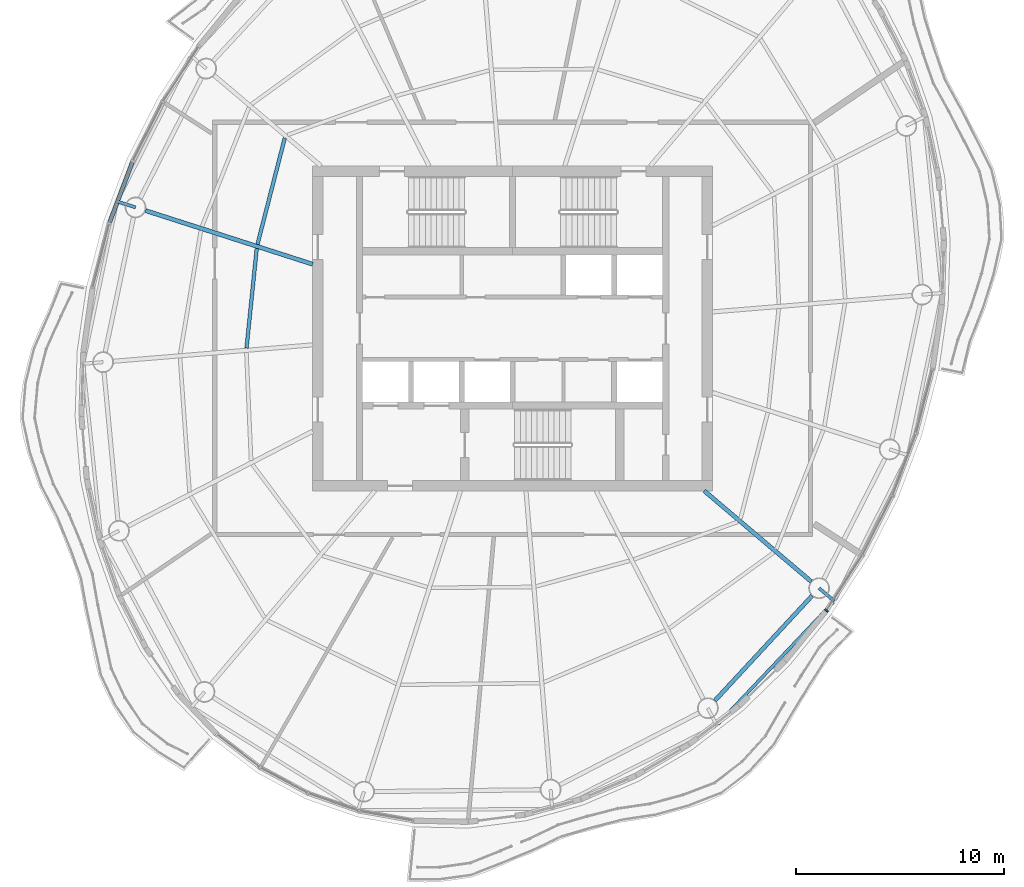
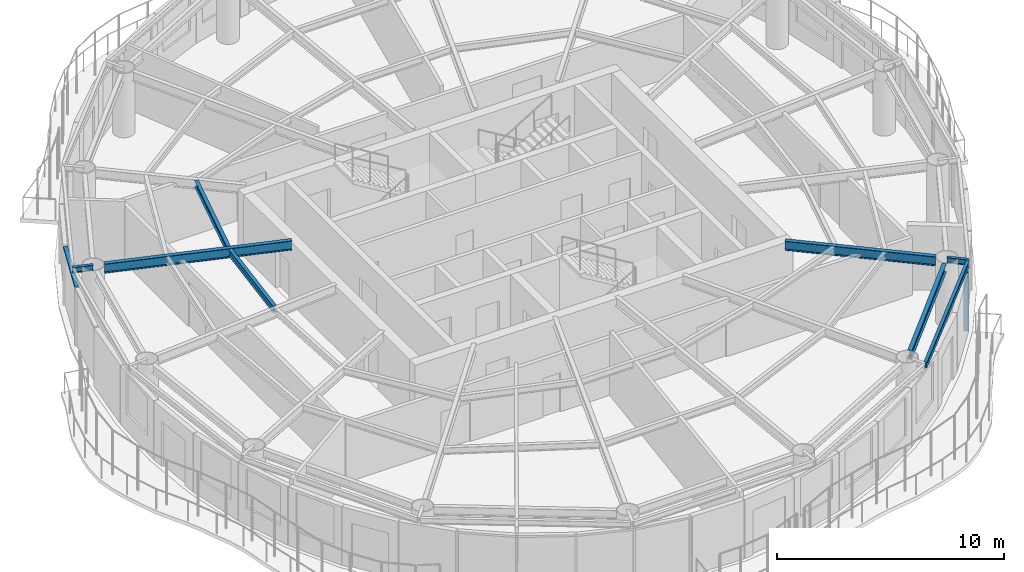
# One storey, part 3 of 13: 8 beams, 2 members, 2 elements without a shape of their own.
"""IFC4 building model written with IfcOpenShell, lengths in metres."""

import ifcopenshell
import ifcopenshell.guid

model = None  # the IFC model being written
_history = None  # IfcOwnerHistory: only IFC2X3 demands one
_inside = {}  # id of a spatial element -> (the spatial element, [elements in it])
_under = {}  # id of a project, library or spatial element -> (it, [spatial elements below it])
_declared = {}  # id of a project -> (the project, [libraries it declares])
_typed = {}  # id of a type object -> (the type object, [elements of that type])
_made_of = {}  # id of a material, layer set ... -> (it, [elements and type objects made of it])


def new_model(schema):
    """Start an empty IFC model of exactly this schema.

    Asked for "IFC4X3", IfcOpenShell would pick the latest addendum, in which some entities
    have other attributes; the version numbers below select the first issue.
    IFC2X3 requires an IfcOwnerHistory on every rooted entity: one is made here for all.
    """
    global model, _history
    if schema == "IFC4X3":
        model = ifcopenshell.file(schema_version=(4, 3, 0, 0))
    else:
        model = ifcopenshell.file(schema=schema)
    _inside.clear()
    _under.clear()
    _declared.clear()
    _typed.clear()
    _made_of.clear()
    _history = None
    if model.schema == "IFC2X3":
        org = make("IfcOrganization", Name="unknown")
        user = make(
            "IfcPersonAndOrganization",
            ThePerson=make("IfcPerson", FamilyName="unknown"),
            TheOrganization=org,
        )
        app = make(
            "IfcApplication",
            ApplicationDeveloper=org,
            Version="unknown",
            ApplicationFullName="unknown",
            ApplicationIdentifier="unknown",
        )
        _history = make(
            "IfcOwnerHistory",
            OwningUser=user,
            OwningApplication=app,
            ChangeAction="ADDED",
            CreationDate=0,
        )
    return model


def make(cls, **values):
    """One entity of the class cls with the attributes given. An attribute that is None is left unset."""
    return model.create_entity(
        cls, **{name: value for name, value in values.items() if value is not None}
    )


def rooted(cls, **values):
    """An entity with a GlobalId (a new one), such as an element, a storey or a relation."""
    return make(cls, GlobalId=ifcopenshell.guid.new(), OwnerHistory=_history, **values)


def si_unit(unit_type, name, prefix=None):
    """IfcSIUnit, for example si_unit("LENGTHUNIT", "METRE", prefix="MILLI")."""
    return make("IfcSIUnit", UnitType=unit_type, Prefix=prefix, Name=name)


def assignment(units):
    """IfcUnitAssignment: the units of a project."""
    return None if units is None else make("IfcUnitAssignment", Units=units)


def point(xyz):
    """IfcCartesianPoint."""
    return None if xyz is None else make("IfcCartesianPoint", Coordinates=xyz)


def direction(xyz):
    """IfcDirection."""
    return None if xyz is None else make("IfcDirection", DirectionRatios=xyz)


def frame(location, z_axis=None, x_axis=None):
    """IfcAxis2Placement3D, a coordinate frame: its origin and axes. An axis left out is left unset."""
    return make(
        "IfcAxis2Placement3D",
        Location=point(location),
        Axis=direction(z_axis),
        RefDirection=direction(x_axis),
    )


def frame_2d(location, x_axis=None):
    """IfcAxis2Placement2D, a coordinate frame in the plane: its origin and x axis."""
    return make(
        "IfcAxis2Placement2D", Location=point(location), RefDirection=direction(x_axis)
    )


def origin():
    """The frame at (0, 0, 0) with its axes left unset."""
    return frame((0.0, 0.0, 0.0))


def origin_2d():
    """The frame at (0, 0) in the plane with its x axis left unset."""
    return frame_2d((0.0, 0.0))


def place(relative_to, where):
    """IfcLocalPlacement: puts the frame where relative to a parent placement (None: the world)."""
    return make(
        "IfcLocalPlacement", PlacementRelTo=relative_to, RelativePlacement=where
    )


def context(
    kind, dimensions, precision=None, world=None, true_north=None, identifier=None
):
    """IfcGeometricRepresentationContext, for example the 3D "Model" context."""
    return make(
        "IfcGeometricRepresentationContext",
        ContextIdentifier=identifier,
        ContextType=kind,
        CoordinateSpaceDimension=dimensions,
        Precision=precision,
        WorldCoordinateSystem=world,
        TrueNorth=true_north,
    )


def subcontext(parent, identifier, kind, view, scale=None):
    """IfcGeometricRepresentationSubContext, for example "Body" below "Model"."""
    return make(
        "IfcGeometricRepresentationSubContext",
        ContextIdentifier=identifier,
        ContextType=kind,
        ParentContext=parent,
        TargetScale=scale,
        TargetView=view,
    )


def project(units=None, contexts=None):
    """IfcProject with its units and contexts."""
    return rooted(
        "IfcProject",
        Name="project",
        RepresentationContexts=contexts,
        UnitsInContext=assignment(units),
    )


def spatial(cls, under=None, at=None, **own):
    """A site, building, storey or space (cls), placed at a placement, below another one or the project."""
    s = rooted(cls, ObjectPlacement=at, **own)
    if under is not None:
        _under.setdefault(under.id(), (under, []))[1].append(s)
    return s


def profile(cls, at=None, kind="AREA", **sizes):
    """A parametric profile (cls). Its sizes go by their IFC names, for example OverallWidth=200.0."""
    return make(cls, ProfileType=kind, Position=at, **sizes)


def rectangle(**sizes):
    """IfcRectangleProfileDef."""
    return profile("IfcRectangleProfileDef", **sizes)


def i_section(**sizes):
    """IfcIShapeProfileDef."""
    return profile("IfcIShapeProfileDef", **sizes)


def extrude(swept, where, along, depth):
    """IfcExtrudedAreaSolid: the profile swept, set in the frame where, extruded along a direction by depth."""
    return make(
        "IfcExtrudedAreaSolid",
        SweptArea=swept,
        Position=where,
        ExtrudedDirection=direction(along),
        Depth=depth,
    )


def shape(context_of_items, identifier, shape_type, items):
    """IfcShapeRepresentation: the items that make up one representation, for example the "Body"."""
    return make(
        "IfcShapeRepresentation",
        ContextOfItems=context_of_items,
        RepresentationIdentifier=identifier,
        RepresentationType=shape_type,
        Items=items,
    )


def material(Name=None, Category=None):
    """IfcMaterial."""
    return make("IfcMaterial", Name=Name, Category=Category)


def material_profile(
    of_material, cross_section, Name=None, Category=None, Priority=None
):
    """IfcMaterialProfile: a cross section and its material."""
    return make(
        "IfcMaterialProfile",
        Name=Name,
        Material=of_material,
        Profile=cross_section,
        Priority=Priority,
        Category=Category,
    )


def profile_set(profiles, Name=None, composite=None):
    """IfcMaterialProfileSet."""
    return make(
        "IfcMaterialProfileSet",
        Name=Name,
        MaterialProfiles=profiles,
        CompositeProfile=composite,
    )


def made_of(thing, what):
    """Note that an element or type object is made of a material, layer set ...; save() writes the relation."""
    if what is not None:
        _made_of.setdefault(what.id(), (what, []))[1].append(thing)
    return thing


def type_object(cls, material=None, **own):
    """A type object (cls), such as IfcWallType, which elements share."""
    return made_of(rooted(cls, **own), material)


def element(
    cls,
    number,
    at=None,
    inside=None,
    cuts=None,
    type_object=None,
    material=None,
    context=None,
    identifier="Body",
    shape_type=None,
    held_by="IfcProductDefinitionShape",
    body=None,
    shapes=None,
    **own,
):
    """One element of the class cls, such as IfcWall. Its Tag is "e" and its number.

    at: its placement. inside: the storey or other place that contains it. cuts: it is an
    opening in that element (IfcRelVoidsElement). A single representation is given by context,
    identifier, shape_type and body (its items); several are given by shapes. held_by: the class
    of the entity that holds the representations. save() writes the other relations.
    """
    e = rooted(cls, Tag="e%d" % number, ObjectPlacement=at, **own)
    if body is not None:
        shapes = [shape(context, identifier, shape_type, body)]
    if shapes is not None:
        e.Representation = make(held_by, Representations=shapes)
    if inside is not None:
        _inside.setdefault(inside.id(), (inside, []))[1].append(e)
    if cuts is not None:
        rooted(
            "IfcRelVoidsElement", RelatingBuildingElement=cuts, RelatedOpeningElement=e
        )
    if type_object is not None:
        _typed.setdefault(type_object.id(), (type_object, []))[1].append(e)
    return made_of(e, material)


def aggregate(whole, parts):
    """IfcRelAggregates: a whole, such as a stair, and the parts it consists of."""
    return rooted("IfcRelAggregates", RelatingObject=whole, RelatedObjects=parts)


def save(model, path):
    """Write the relations noted so far, then the file.

    IfcRelAggregates (storeys below a building ...), IfcRelContainedInSpatialStructure (elements
    in a storey), IfcRelDefinesByType, IfcRelAssociatesMaterial and IfcRelDeclares: one each for
    every whole, place, type object, material and project.
    """
    for whole, parts in _under.values():
        aggregate(whole, parts)
    for where, things in _inside.values():
        rooted(
            "IfcRelContainedInSpatialStructure",
            RelatedElements=things,
            RelatingStructure=where,
        )
    for kind, things in _typed.values():
        rooted("IfcRelDefinesByType", RelatedObjects=things, RelatingType=kind)
    for what, things in _made_of.values():
        rooted("IfcRelAssociatesMaterial", RelatedObjects=things, RelatingMaterial=what)
    for by, libraries in _declared.values():
        rooted("IfcRelDeclares", RelatingContext=by, RelatedDefinitions=libraries)
    model.write(path)


model = new_model("IFC4")

# Units and contexts
model_context = context("Model", 3, precision=1e-05, world=origin(), true_north=direction((0.0, 1.0)))
body_context = subcontext(model_context, "Body", "Model", "MODEL_VIEW")
ifc_project = project(units=[si_unit("LENGTHUNIT", "METRE"), si_unit("AREAUNIT", "SQUARE_METRE"), si_unit("VOLUMEUNIT", "CUBIC_METRE"), si_unit("PLANEANGLEUNIT", "RADIAN"), si_unit("MASSUNIT", "GRAM", prefix="KILO")], contexts=[model_context])

# Site, building, storey
site_placement = place(None, origin())
site = spatial("IfcSite", under=ifc_project, at=site_placement, CompositionType="ELEMENT")
building_placement = place(site_placement, origin())
building = spatial("IfcBuilding", under=site, at=building_placement, Name="Vermilion Reach Broadcast Tower", CompositionType="ELEMENT")
storey_placement = place(building_placement, frame((0.0, 0.0, 297.300048828125)))
storey = spatial("IfcBuildingStorey", under=building, at=storey_placement, Name="L74", CompositionType="ELEMENT", Elevation=297.300048828125)

# Beams
ifc_material_1 = material(Name="Steel S355J2", Category="steel")
ifc_material_profile_1 = material_profile(ifc_material_1, i_section(OverallWidth=0.14990234375, OverallDepth=0.300048828125, WebThickness=0.006591796875, FlangeThickness=0.009033203125, at=origin_2d()), Name="S355J2 HN 300x150x6.5x9")
ifc_profile_set_1 = profile_set([ifc_material_profile_1], Name="Steel S355J2")
beam_type_1 = type_object("IfcBeamType", Name="EB5 HN 300x150x6.5x9", PredefinedType="BEAM", material=ifc_profile_set_1)
beam_1_placement = place(storey_placement, frame((3.85400390625, -19.001708984375, 3.300048828125), z_axis=(0.687701793008, 0.725993280888, 0.0), x_axis=(-0.725993280888, 0.687701793008, 0.0)))
element("IfcBeam", 1, at=beam_1_placement, inside=storey, type_object=beam_type_1, Name="Edge beam EB5-11", PredefinedType="BEAM", context=body_context, shape_type="SweptSolid", body=[
    extrude(i_section(OverallWidth=0.14990234375, OverallDepth=0.300048828125, WebThickness=0.006591796875, FlangeThickness=0.009033203125, at=origin_2d()), origin(), (0.0, 0.0, 1.0), 8.05908203125),
])
ifc_material_2 = material(Name="Steel S355J2", Category="steel")
ifc_material_profile_2 = material_profile(ifc_material_2, i_section(OverallWidth=0.199951171875, OverallDepth=0.5, WebThickness=0.010009765625, FlangeThickness=0.01611328125, at=origin_2d()), Name="S355J2 HN 500x200x10x16")
ifc_profile_set_2 = profile_set([ifc_material_profile_2], Name="Steel S355J2")
beam_type_2 = type_object("IfcBeamType", Name="G5 HN 500x200x10x16", PredefinedType="BEAM", material=ifc_profile_set_2)
beam_2_placement = place(storey_placement, frame((-15.60009765625, 3.080322265625, 3.199951171875), z_axis=(-0.952178453449, 0.305542456604, 0.0), x_axis=(-0.305542456604, -0.952178453449, 0.0)))
element("IfcBeam", 2, at=beam_2_placement, inside=storey, type_object=beam_type_2, Name="Girder G5-05", PredefinedType="BEAM", context=body_context, shape_type="SweptSolid", body=[
    extrude(i_section(OverallWidth=0.199951171875, OverallDepth=0.5, WebThickness=0.010009765625, FlangeThickness=0.01611328125, at=origin_2d()), origin(), (0.0, 0.0, 1.0), 8.43310546875),
])
beam_3_placement = place(storey_placement, frame((3.20068359375, -7.800048828125, 3.199951171875), z_axis=(0.762793125612, -0.646642596431, 0.0), x_axis=(0.646642596431, 0.762793125612, 0.0)))
element("IfcBeam", 3, at=beam_3_placement, inside=storey, type_object=beam_type_2, Name="Girder G5-12", PredefinedType="BEAM", context=body_context, shape_type="SweptSolid", body=[
    extrude(i_section(OverallWidth=0.199951171875, OverallDepth=0.5, WebThickness=0.010009765625, FlangeThickness=0.01611328125, at=origin_2d()), origin(), (0.0, 0.0, 1.0), 6.732421875),
])
ifc_material_3 = material(Name="Steel S355J2", Category="steel")
ifc_material_profile_3 = material_profile(ifc_material_3, i_section(OverallWidth=0.14990234375, OverallDepth=0.300048828125, WebThickness=0.006591796875, FlangeThickness=0.009033203125, at=origin_2d()), Name="S355J2 HN 300x150x6.5x9")
ifc_profile_set_3 = profile_set([ifc_material_profile_3], Name="Steel S355J2")
beam_type_3 = type_object("IfcBeamType", Name="GS5 HN 300x150x6.5x9", PredefinedType="BEAM", material=ifc_profile_set_3)
beam_4_placement = place(storey_placement, frame((-24.10595703125, 5.809814453125, 3.300048828125), z_axis=(-0.952228317443, 0.305387019141, 0.0), x_axis=(-0.305387019141, -0.952228317443, 0.0)))
element("IfcBeam", 4, at=beam_4_placement, inside=storey, type_object=beam_type_3, Name="Cantilever stub GS5-05", PredefinedType="BEAM", context=body_context, shape_type="SweptSolid", body=[
    extrude(i_section(OverallWidth=0.14990234375, OverallDepth=0.300048828125, WebThickness=0.006591796875, FlangeThickness=0.009033203125, at=origin_2d()), origin(), (0.0, 0.0, 1.0), 0.92724609375),
])
beam_5_placement = place(storey_placement, frame((8.717529296875, -12.476806640625, 3.300048828125), z_axis=(0.762718692688, -0.64673038882, 0.0), x_axis=(0.64673038882, 0.762718692688, 0.0)))
element("IfcBeam", 5, at=beam_5_placement, inside=storey, type_object=beam_type_3, Name="Cantilever stub GS5-12", PredefinedType="BEAM", context=body_context, shape_type="SweptSolid", body=[
    extrude(i_section(OverallWidth=0.14990234375, OverallDepth=0.300048828125, WebThickness=0.006591796875, FlangeThickness=0.009033203125, at=origin_2d()), origin(), (0.0, 0.0, 1.0), 0.957763671875),
])
ifc_material_4 = material(Name="Steel S355J2", Category="steel")
ifc_material_profile_4 = material_profile(ifc_material_4, i_section(OverallWidth=0.199951171875, OverallDepth=0.449951171875, WebThickness=0.009033203125, FlangeThickness=0.013916015625, at=origin_2d()), Name="S355J2 HN 450x200x9x14")
ifc_profile_set_4 = profile_set([ifc_material_profile_4], Name="Steel S355J2")
beam_type_4 = type_object("IfcBeamType", Name="RB5 HN 450x200x9x14", PredefinedType="BEAM", material=ifc_profile_set_4)
beam_6_placement = place(storey_placement, frame((3.716796875, -17.87109375, 3.224853515625), z_axis=(0.679837550075, 0.733362738014, 0.0), x_axis=(-0.733362738014, 0.679837550075, 0.0)))
element("IfcBeam", 6, at=beam_6_placement, inside=storey, type_object=beam_type_4, Name="Ring beam RB5-11", PredefinedType="BEAM", context=body_context, shape_type="SweptSolid", body=[
    extrude(i_section(OverallWidth=0.199951171875, OverallDepth=0.449951171875, WebThickness=0.009033203125, FlangeThickness=0.013916015625, at=origin_2d()), origin(), (0.0, 0.0, 1.0), 6.85546875),
])
ifc_material_5 = material(Name="Steel S355J2", Category="steel")
ifc_material_profile_5 = material_profile(ifc_material_5, i_section(OverallWidth=0.175048828125, OverallDepth=0.35009765625, WebThickness=0.007080078125, FlangeThickness=0.010986328125, at=origin_2d()), Name="S355J2 HN 350x175x7x11")
ifc_profile_set_5 = profile_set([ifc_material_profile_5], Name="Steel S355J2")
beam_type_5 = type_object("IfcBeamType", Name="SB5 HN 350x175x7x11", PredefinedType="BEAM", material=ifc_profile_set_5)
beam_7_placement = place(storey_placement, frame((-16.940185546875, 9.1435546875, 3.27490234375), z_axis=(-0.248729575729, -0.968572969971, 0.0), x_axis=(0.968572969971, -0.248729575729, 0.0)))
element("IfcBeam", 7, at=beam_7_placement, inside=storey, type_object=beam_type_5, Name="Secondary beam SB5-04-1", PredefinedType="BEAM", context=body_context, shape_type="SweptSolid", body=[
    extrude(i_section(OverallWidth=0.175048828125, OverallDepth=0.35009765625, WebThickness=0.007080078125, FlangeThickness=0.010986328125, at=origin_2d()), origin(), (0.0, 0.0, 1.0), 5.27294921875),
])
beam_8_placement = place(storey_placement, frame((-18.287109375, 3.837646484375, 3.27490234375), z_axis=(-0.102113775264, -0.994772726255, 0.0), x_axis=(0.994772726255, -0.102113775264, 0.0)))
element("IfcBeam", 8, at=beam_8_placement, inside=storey, type_object=beam_type_5, Name="Secondary beam SB5-05-1", PredefinedType="BEAM", context=body_context, shape_type="SweptSolid", body=[
    extrude(i_section(OverallWidth=0.175048828125, OverallDepth=0.35009765625, WebThickness=0.007080078125, FlangeThickness=0.010986328125, at=origin_2d()), origin(), (0.0, 0.0, 1.0), 4.815185546875),
])

# Curtain wall, member
ifc_material_6 = material(Name="Low-e laminated clear glass in aluminium frame", Category="aluminium")
curtain_wall_type = type_object("IfcCurtainWallType", Name="Slot curtain wall", PredefinedType="NOTDEFINED", material=ifc_material_6)
placement = place(storey_placement, origin())
curtain_wall_1 = element("IfcCurtainWall", 9, at=placement, inside=storey, type_object=curtain_wall_type, Name="Slot curtain wall L74 34", PredefinedType="NOTDEFINED")
ifc_material_7 = material(Name="Anodised aluminium", Category="aluminium")
ifc_material_profile_6 = material_profile(ifc_material_7, rectangle(XDim=0.199951171875, YDim=0.080078125, at=origin_2d()), Name="Slot mullion 80 x 200")
ifc_profile_set_6 = profile_set([ifc_material_profile_6], Name="Anodised aluminium")
member_type_1 = type_object("IfcMemberType", Name="Slot mullion 80 x 200", PredefinedType="MULLION", material=ifc_profile_set_6)
member_1_placement = place(storey_placement, frame((9.068359375, -13.544677734375, 0.0), z_axis=(0.0, 0.0, 1.0), x_axis=(-0.807362404776, 0.590055884942, 0.0)))
member_1 = element("IfcMember", 10, at=member_1_placement, type_object=member_type_1, Name="Slot mullion L74 34", PredefinedType="MULLION", context=body_context, shape_type="SweptSolid", body=[
    extrude(rectangle(XDim=0.199951171875, YDim=0.080078125, at=origin_2d()), origin(), (0.0, 0.0, 1.0), 3.14990234375),
])
aggregate(curtain_wall_1, [member_1])

curtain_wall_2 = element("IfcCurtainWall", 11, at=placement, inside=storey, type_object=curtain_wall_type, Name="Slot curtain wall L74 12", PredefinedType="NOTDEFINED")
ifc_material_8 = material(Name="Anodised aluminium", Category="aluminium")
ifc_material_profile_7 = material_profile(ifc_material_8, rectangle(XDim=0.199951171875, YDim=0.10009765625, at=origin_2d()), Name="Slot transom 200 x 100")
ifc_profile_set_7 = profile_set([ifc_material_profile_7], Name="Anodised aluminium")
member_type_2 = type_object("IfcMemberType", Name="Slot transom 200 x 100", PredefinedType="USERDEFINED", material=ifc_profile_set_7)
member_2_placement = place(storey_placement, frame((-24.255615234375, 7.99267578125, 3.099853515625), z_axis=(-0.353184114299, -0.935553836723, 0.0), x_axis=(0.935553836723, -0.353184114299, 0.0)))
member_2 = element("IfcMember", 12, at=member_2_placement, type_object=member_type_2, Name="Slot transom L74 12.1", ObjectType="TRANSOM", PredefinedType="USERDEFINED", context=body_context, shape_type="SweptSolid", body=[
    extrude(rectangle(XDim=0.199951171875, YDim=0.10009765625, at=origin_2d()), origin(), (0.0, 0.0, 1.0), 3.11474609375),
])
aggregate(curtain_wall_2, [member_2])

save(model, "model.ifc")
